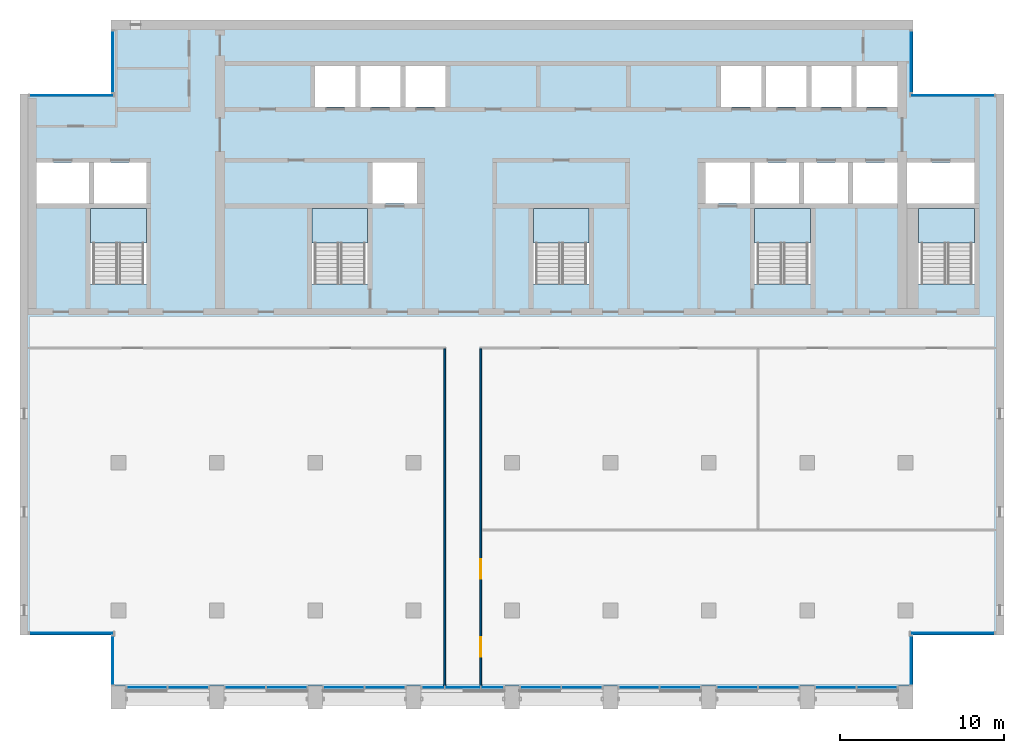
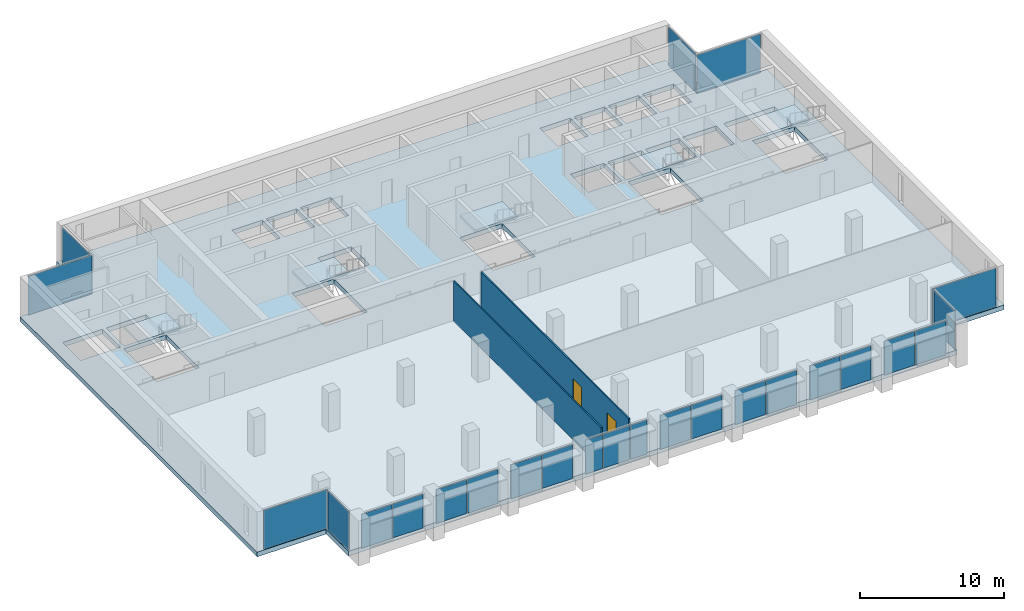
# One storey, part 6 of 14: 25 plates, 6 slabs, 2 doors, 2 walls, 2 openings, 21 elements without a shape of their own.
"""IFC4 building model written with IfcOpenShell, lengths in metres."""

from ifc_helpers import new_model, si_unit, direction, frame, frame_2d, origin, origin_2d, place, context, subcontext, project, spatial, polyline, rectangle, outline, extrude, material, layer, layer_set, type_object, element, fill, aggregate, save


model = new_model("IFC4")

# Units and contexts
model_context = context("Model", 3, precision=1e-05, world=origin(), true_north=direction((0.0, 1.0)))
body_context = subcontext(model_context, "Body", "Model", "MODEL_VIEW")
ifc_project = project(units=[si_unit("LENGTHUNIT", "METRE"), si_unit("AREAUNIT", "SQUARE_METRE"), si_unit("VOLUMEUNIT", "CUBIC_METRE"), si_unit("PLANEANGLEUNIT", "RADIAN"), si_unit("MASSUNIT", "GRAM", prefix="KILO")], contexts=[model_context])

# Site, building, storey
site_placement = place(None, origin())
site = spatial("IfcSite", under=ifc_project, at=site_placement, CompositionType="ELEMENT")
building_placement = place(site_placement, origin())
building = spatial("IfcBuilding", under=site, at=building_placement, Name="Calvaro Tower", CompositionType="ELEMENT")
storey_placement = place(building_placement, frame((0.0, 0.0, 243.14990234375)))
storey = spatial("IfcBuildingStorey", under=building, at=storey_placement, Name="L61", CompositionType="ELEMENT", Elevation=243.14990234375)

# Slab
ifc_material_1 = material(Name="Concrete C40/50", Category="concrete")
ifc_layer_1 = layer(ifc_material_1, 0.39990234375)
ifc_layer_set_1 = layer_set([ifc_layer_1], Name="Concrete C40/50")
slab_type_1 = type_object("IfcSlabType", Name="Floor slab 400 C40/50", PredefinedType="FLOOR", material=ifc_layer_set_1)
slab_1_placement = place(storey_placement, frame((0.0, 0.0, -0.39990234375)))
element("IfcSlab", 1, at=slab_1_placement, inside=storey, type_object=slab_type_1, Name="Floor slab", PredefinedType="FLOOR", context=body_context, shape_type="SweptSolid", body=[
    extrude(outline(polyline([(60.449951171875, 8.5), (60.449951171875, 5.39990234375), (11.550048828125, 5.39990234375), (11.550048828125, 8.5), (6.0, 8.5), (6.0, 41.5), (11.550048828125, 41.5), (11.550048828125, 46.0), (60.449951171875, 46.0), (60.449951171875, 41.5), (66.0, 41.5), (66.0, 8.5), (60.449951171875, 8.5)]), holes=[polyline([(10.300048828125, 29.909912109375), (10.300048828125, 34.5), (12.0, 34.5), (13.699951171875, 34.5), (13.699951171875, 29.909912109375), (12.0, 29.909912109375), (10.300048828125, 29.909912109375)]), polyline([(23.800048828125, 29.909912109375), (23.800048828125, 34.5), (25.5, 34.5), (27.199951171875, 34.5), (27.199951171875, 29.909912109375), (25.5, 29.909912109375), (23.800048828125, 29.909912109375)]), polyline([(37.300048828125, 29.909912109375), (37.300048828125, 34.5), (39.0, 34.5), (40.699951171875, 34.5), (40.699951171875, 29.909912109375), (39.0, 29.909912109375), (37.300048828125, 29.909912109375)]), polyline([(50.800048828125, 29.909912109375), (50.800048828125, 34.5), (52.5, 34.5), (54.199951171875, 34.5), (54.199951171875, 29.909912109375), (52.5, 29.909912109375), (50.800048828125, 29.909912109375)]), polyline([(60.800048828125, 29.909912109375), (60.800048828125, 34.5), (62.5, 34.5), (64.199951171875, 34.5), (64.199951171875, 29.909912109375), (62.5, 29.909912109375), (60.800048828125, 29.909912109375)]), polyline([(50.800048828125, 34.800048828125), (53.5, 34.800048828125), (53.5, 37.300048828125), (50.800048828125, 37.300048828125), (50.800048828125, 34.800048828125)]), polyline([(53.800048828125, 34.800048828125), (56.5, 34.800048828125), (56.5, 37.300048828125), (53.800048828125, 37.300048828125), (53.800048828125, 34.800048828125)]), polyline([(56.800048828125, 34.800048828125), (59.5, 34.800048828125), (59.5, 37.300048828125), (56.800048828125, 37.300048828125), (56.800048828125, 34.800048828125)]), polyline([(24.0, 40.699951171875), (26.449951171875, 40.699951171875), (26.449951171875, 43.199951171875), (24.0, 43.199951171875), (24.0, 40.699951171875)]), polyline([(26.75, 40.699951171875), (29.199951171875, 40.699951171875), (29.199951171875, 43.199951171875), (26.75, 43.199951171875), (26.75, 40.699951171875)]), polyline([(29.5, 40.699951171875), (31.949951171875, 40.699951171875), (31.949951171875, 43.199951171875), (29.5, 43.199951171875), (29.5, 40.699951171875)]), polyline([(48.75, 40.699951171875), (51.199951171875, 40.699951171875), (51.199951171875, 43.199951171875), (48.75, 43.199951171875), (48.75, 40.699951171875)]), polyline([(51.5, 40.699951171875), (53.949951171875, 40.699951171875), (53.949951171875, 43.199951171875), (51.5, 43.199951171875), (51.5, 40.699951171875)]), polyline([(54.25, 40.699951171875), (56.699951171875, 40.699951171875), (56.699951171875, 43.199951171875), (54.25, 43.199951171875), (54.25, 40.699951171875)]), polyline([(57.0, 40.699951171875), (59.5, 40.699951171875), (59.5, 43.199951171875), (57.0, 43.199951171875), (57.0, 40.699951171875)]), polyline([(7.0, 34.800048828125), (10.199951171875, 34.800048828125), (10.199951171875, 37.300048828125), (7.0, 37.300048828125), (7.0, 34.800048828125)]), polyline([(10.5, 34.800048828125), (13.699951171875, 34.800048828125), (13.699951171875, 37.300048828125), (10.5, 37.300048828125), (10.5, 34.800048828125)]), polyline([(60.10009765625, 34.800048828125), (64.199951171875, 34.800048828125), (64.199951171875, 37.300048828125), (60.10009765625, 37.300048828125), (60.10009765625, 34.800048828125)]), polyline([(27.5, 34.800048828125), (30.199951171875, 34.800048828125), (30.199951171875, 37.300048828125), (27.5, 37.300048828125), (27.5, 34.800048828125)]), polyline([(47.800048828125, 34.800048828125), (50.5, 34.800048828125), (50.5, 37.300048828125), (47.800048828125, 37.300048828125), (47.800048828125, 34.800048828125)])]), origin(), (0.0, 0.0, 1.0), 0.39990234375),
])

# Curtain wall, plates
ifc_material_2 = material(Name="Anodised aluminium", Category="aluminium")
curtain_wall_type = type_object("IfcCurtainWallType", Name="Executive curtain wall", PredefinedType="NOTDEFINED", material=ifc_material_2)
curtain_wall_1_placement = place(storey_placement, origin())
curtain_wall_1 = element("IfcCurtainWall", 2, at=curtain_wall_1_placement, inside=storey, type_object=curtain_wall_type, Name="CW4 south curtain wall", PredefinedType="NOTDEFINED")
ifc_material_3 = material(Name="Glass", Category="glass")
ifc_layer_2 = layer(ifc_material_3, 0.0400390625)
ifc_layer_set_2 = layer_set([ifc_layer_2], Name="Glass")
plate_type = type_object("IfcPlateType", Name="Glass panel S4 40", PredefinedType="CURTAIN_PANEL", material=ifc_layer_set_2)
plate_1_placement = place(storey_placement, frame((13.7451171875, 5.2900390625, 0.000244140625), z_axis=(0.0, 0.0, 1.0), x_axis=(1.0, 0.0, 0.0)))
plate_1 = element("IfcPlate", 3, at=plate_1_placement, type_object=plate_type, Name="CW4 glass panel 1.1", PredefinedType="CURTAIN_PANEL", context=body_context, shape_type="SweptSolid", body=[
    extrude(rectangle(XDim=2.429931640625, YDim=0.0400390625, at=origin_2d()), origin(), (0.0, 0.0, 1.0), 2.8798828125),
])
plate_2_placement = place(storey_placement, frame((16.2548828125, 5.2900390625, 0.000244140625), z_axis=(0.0, 0.0, 1.0), x_axis=(1.0, 0.0, 0.0)))
plate_2 = element("IfcPlate", 4, at=plate_2_placement, type_object=plate_type, Name="CW4 glass panel 2.1", PredefinedType="CURTAIN_PANEL", context=body_context, shape_type="SweptSolid", body=[
    extrude(rectangle(XDim=2.429931640625, YDim=0.0400390625, at=origin_2d()), origin(), (0.0, 0.0, 1.0), 2.8798828125),
])
aggregate(curtain_wall_1, [plate_1, plate_2])

curtain_wall_2_placement = place(storey_placement, origin())
curtain_wall_2 = element("IfcCurtainWall", 5, at=curtain_wall_2_placement, inside=storey, type_object=curtain_wall_type, Name="CW4 south curtain wall", PredefinedType="NOTDEFINED")
plate_3_placement = place(storey_placement, frame((19.7451171875, 5.2900390625, 0.000244140625), z_axis=(0.0, 0.0, 1.0), x_axis=(1.0, 0.0, 0.0)))
plate_3 = element("IfcPlate", 6, at=plate_3_placement, type_object=plate_type, Name="CW4 glass panel 1.1", PredefinedType="CURTAIN_PANEL", context=body_context, shape_type="SweptSolid", body=[
    extrude(rectangle(XDim=2.429931640625, YDim=0.0400390625, at=origin_2d()), origin(), (0.0, 0.0, 1.0), 2.8798828125),
])
plate_4_placement = place(storey_placement, frame((22.2548828125, 5.2900390625, 0.000244140625), z_axis=(0.0, 0.0, 1.0), x_axis=(1.0, 0.0, 0.0)))
plate_4 = element("IfcPlate", 7, at=plate_4_placement, type_object=plate_type, Name="CW4 glass panel 2.1", PredefinedType="CURTAIN_PANEL", context=body_context, shape_type="SweptSolid", body=[
    extrude(rectangle(XDim=2.429931640625, YDim=0.0400390625, at=origin_2d()), origin(), (0.0, 0.0, 1.0), 2.8798828125),
])
aggregate(curtain_wall_2, [plate_3, plate_4])

curtain_wall_3_placement = place(storey_placement, origin())
curtain_wall_3 = element("IfcCurtainWall", 8, at=curtain_wall_3_placement, inside=storey, type_object=curtain_wall_type, Name="CW4 south curtain wall", PredefinedType="NOTDEFINED")
plate_5_placement = place(storey_placement, frame((25.7451171875, 5.2900390625, 0.000244140625), z_axis=(0.0, 0.0, 1.0), x_axis=(1.0, 0.0, 0.0)))
plate_5 = element("IfcPlate", 9, at=plate_5_placement, type_object=plate_type, Name="CW4 glass panel 1.1", PredefinedType="CURTAIN_PANEL", context=body_context, shape_type="SweptSolid", body=[
    extrude(rectangle(XDim=2.429931640625, YDim=0.0400390625, at=origin_2d()), origin(), (0.0, 0.0, 1.0), 2.8798828125),
])
plate_6_placement = place(storey_placement, frame((28.2548828125, 5.2900390625, 0.000244140625), z_axis=(0.0, 0.0, 1.0), x_axis=(1.0, 0.0, 0.0)))
plate_6 = element("IfcPlate", 10, at=plate_6_placement, type_object=plate_type, Name="CW4 glass panel 2.1", PredefinedType="CURTAIN_PANEL", context=body_context, shape_type="SweptSolid", body=[
    extrude(rectangle(XDim=2.429931640625, YDim=0.0400390625, at=origin_2d()), origin(), (0.0, 0.0, 1.0), 2.8798828125),
])
aggregate(curtain_wall_3, [plate_5, plate_6])

curtain_wall_4_placement = place(storey_placement, origin())
curtain_wall_4 = element("IfcCurtainWall", 11, at=curtain_wall_4_placement, inside=storey, type_object=curtain_wall_type, Name="CW4 south curtain wall", PredefinedType="NOTDEFINED")
plate_7_placement = place(storey_placement, frame((31.195068359375, 5.2900390625, 0.000244140625), z_axis=(0.0, 0.0, 1.0), x_axis=(1.0, 0.0, 0.0)))
plate_7 = element("IfcPlate", 12, at=plate_7_placement, type_object=plate_type, Name="CW4 glass panel 1.1", PredefinedType="CURTAIN_PANEL", context=body_context, shape_type="SweptSolid", body=[
    extrude(rectangle(XDim=1.330078125, YDim=0.0400390625, at=origin_2d()), origin(), (0.0, 0.0, 1.0), 2.8798828125),
])
plate_8_placement = place(storey_placement, frame((33.0, 5.2900390625, 0.000244140625), z_axis=(0.0, 0.0, 1.0), x_axis=(1.0, 0.0, 0.0)))
plate_8 = element("IfcPlate", 13, at=plate_8_placement, type_object=plate_type, Name="CW4 glass panel 2.1", PredefinedType="CURTAIN_PANEL", context=body_context, shape_type="SweptSolid", body=[
    extrude(rectangle(XDim=2.1201171875, YDim=0.0400390625, at=origin_2d()), origin(), (0.0, 0.0, 1.0), 2.8798828125),
])
plate_9_placement = place(storey_placement, frame((34.804931640625, 5.2900390625, 0.000244140625), z_axis=(0.0, 0.0, 1.0), x_axis=(1.0, 0.0, 0.0)))
plate_9 = element("IfcPlate", 14, at=plate_9_placement, type_object=plate_type, Name="CW4 glass panel 3.1", PredefinedType="CURTAIN_PANEL", context=body_context, shape_type="SweptSolid", body=[
    extrude(rectangle(XDim=1.330078125, YDim=0.0400390625, at=origin_2d()), origin(), (0.0, 0.0, 1.0), 2.8798828125),
])
aggregate(curtain_wall_4, [plate_7, plate_8, plate_9])

curtain_wall_5_placement = place(storey_placement, origin())
curtain_wall_5 = element("IfcCurtainWall", 15, at=curtain_wall_5_placement, inside=storey, type_object=curtain_wall_type, Name="CW4 south curtain wall", PredefinedType="NOTDEFINED")
plate_10_placement = place(storey_placement, frame((37.7451171875, 5.2900390625, 0.000244140625), z_axis=(0.0, 0.0, 1.0), x_axis=(1.0, 0.0, 0.0)))
plate_10 = element("IfcPlate", 16, at=plate_10_placement, type_object=plate_type, Name="CW4 glass panel 1.1", PredefinedType="CURTAIN_PANEL", context=body_context, shape_type="SweptSolid", body=[
    extrude(rectangle(XDim=2.429931640625, YDim=0.0400390625, at=origin_2d()), origin(), (0.0, 0.0, 1.0), 2.8798828125),
])
plate_11_placement = place(storey_placement, frame((40.2548828125, 5.2900390625, 0.000244140625), z_axis=(0.0, 0.0, 1.0), x_axis=(1.0, 0.0, 0.0)))
plate_11 = element("IfcPlate", 17, at=plate_11_placement, type_object=plate_type, Name="CW4 glass panel 2.1", PredefinedType="CURTAIN_PANEL", context=body_context, shape_type="SweptSolid", body=[
    extrude(rectangle(XDim=2.429931640625, YDim=0.0400390625, at=origin_2d()), origin(), (0.0, 0.0, 1.0), 2.8798828125),
])
aggregate(curtain_wall_5, [plate_10, plate_11])

curtain_wall_6_placement = place(storey_placement, origin())
curtain_wall_6 = element("IfcCurtainWall", 18, at=curtain_wall_6_placement, inside=storey, type_object=curtain_wall_type, Name="CW4 south curtain wall", PredefinedType="NOTDEFINED")
plate_12_placement = place(storey_placement, frame((43.7451171875, 5.2900390625, 0.000244140625), z_axis=(0.0, 0.0, 1.0), x_axis=(1.0, 0.0, 0.0)))
plate_12 = element("IfcPlate", 19, at=plate_12_placement, type_object=plate_type, Name="CW4 glass panel 1.1", PredefinedType="CURTAIN_PANEL", context=body_context, shape_type="SweptSolid", body=[
    extrude(rectangle(XDim=2.429931640625, YDim=0.0400390625, at=origin_2d()), origin(), (0.0, 0.0, 1.0), 2.8798828125),
])
plate_13_placement = place(storey_placement, frame((46.2548828125, 5.2900390625, 0.000244140625), z_axis=(0.0, 0.0, 1.0), x_axis=(1.0, 0.0, 0.0)))
plate_13 = element("IfcPlate", 20, at=plate_13_placement, type_object=plate_type, Name="CW4 glass panel 2.1", PredefinedType="CURTAIN_PANEL", context=body_context, shape_type="SweptSolid", body=[
    extrude(rectangle(XDim=2.429931640625, YDim=0.0400390625, at=origin_2d()), origin(), (0.0, 0.0, 1.0), 2.8798828125),
])
aggregate(curtain_wall_6, [plate_12, plate_13])

curtain_wall_7_placement = place(storey_placement, origin())
curtain_wall_7 = element("IfcCurtainWall", 21, at=curtain_wall_7_placement, inside=storey, type_object=curtain_wall_type, Name="CW4 south curtain wall", PredefinedType="NOTDEFINED")
plate_14_placement = place(storey_placement, frame((49.7451171875, 5.2900390625, 0.000244140625), z_axis=(0.0, 0.0, 1.0), x_axis=(1.0, 0.0, 0.0)))
plate_14 = element("IfcPlate", 22, at=plate_14_placement, type_object=plate_type, Name="CW4 glass panel 1.1", PredefinedType="CURTAIN_PANEL", context=body_context, shape_type="SweptSolid", body=[
    extrude(rectangle(XDim=2.429931640625, YDim=0.0400390625, at=origin_2d()), origin(), (0.0, 0.0, 1.0), 2.8798828125),
])
plate_15_placement = place(storey_placement, frame((52.2548828125, 5.2900390625, 0.000244140625), z_axis=(0.0, 0.0, 1.0), x_axis=(1.0, 0.0, 0.0)))
plate_15 = element("IfcPlate", 23, at=plate_15_placement, type_object=plate_type, Name="CW4 glass panel 2.1", PredefinedType="CURTAIN_PANEL", context=body_context, shape_type="SweptSolid", body=[
    extrude(rectangle(XDim=2.429931640625, YDim=0.0400390625, at=origin_2d()), origin(), (0.0, 0.0, 1.0), 2.8798828125),
])
aggregate(curtain_wall_7, [plate_14, plate_15])

curtain_wall_8_placement = place(storey_placement, origin())
curtain_wall_8 = element("IfcCurtainWall", 24, at=curtain_wall_8_placement, inside=storey, type_object=curtain_wall_type, Name="CW4 south curtain wall", PredefinedType="NOTDEFINED")
plate_16_placement = place(storey_placement, frame((55.7451171875, 5.2900390625, 0.000244140625), z_axis=(0.0, 0.0, 1.0), x_axis=(1.0, 0.0, 0.0)))
plate_16 = element("IfcPlate", 25, at=plate_16_placement, type_object=plate_type, Name="CW4 glass panel 1.1", PredefinedType="CURTAIN_PANEL", context=body_context, shape_type="SweptSolid", body=[
    extrude(rectangle(XDim=2.429931640625, YDim=0.0400390625, at=origin_2d()), origin(), (0.0, 0.0, 1.0), 2.8798828125),
])
plate_17_placement = place(storey_placement, frame((58.2548828125, 5.2900390625, 0.000244140625), z_axis=(0.0, 0.0, 1.0), x_axis=(1.0, 0.0, 0.0)))
plate_17 = element("IfcPlate", 26, at=plate_17_placement, type_object=plate_type, Name="CW4 glass panel 2.1", PredefinedType="CURTAIN_PANEL", context=body_context, shape_type="SweptSolid", body=[
    extrude(rectangle(XDim=2.429931640625, YDim=0.0400390625, at=origin_2d()), origin(), (0.0, 0.0, 1.0), 2.8798828125),
])
aggregate(curtain_wall_8, [plate_16, plate_17])

# Curtain wall, plate
curtain_wall_9_placement = place(storey_placement, origin())
curtain_wall_9 = element("IfcCurtainWall", 27, at=curtain_wall_9_placement, inside=storey, type_object=curtain_wall_type, Name="CW4 corner curtain wall", PredefinedType="NOTDEFINED")
plate_18_placement = place(storey_placement, frame((11.659912109375, 6.949951171875, 0.0), z_axis=(0.0, 0.0, 1.0), x_axis=(0.0, 1.0, 0.0)))
plate_18 = element("IfcPlate", 28, at=plate_18_placement, type_object=plate_type, Name="CW4 glass panel 1.1", PredefinedType="CURTAIN_PANEL", context=body_context, shape_type="SweptSolid", body=[
    extrude(rectangle(XDim=2.93994140625, YDim=0.0400390625, at=origin_2d()), origin(), (0.0, 0.0, 1.0), 3.280029296875),
])
aggregate(curtain_wall_9, [plate_18])

curtain_wall_10_placement = place(storey_placement, origin())
curtain_wall_10 = element("IfcCurtainWall", 29, at=curtain_wall_10_placement, inside=storey, type_object=curtain_wall_type, Name="CW4 corner curtain wall", PredefinedType="NOTDEFINED")
plate_19_placement = place(storey_placement, frame((9.135009765625, 8.610107421875, 0.0), z_axis=(0.0, 0.0, 1.0), x_axis=(1.0, 0.0, 0.0)))
plate_19 = element("IfcPlate", 30, at=plate_19_placement, type_object=plate_type, Name="CW4 glass panel 1.1", PredefinedType="CURTAIN_PANEL", context=body_context, shape_type="SweptSolid", body=[
    extrude(rectangle(XDim=5.110107421875, YDim=0.0400390625, at=origin_2d()), origin(), (0.0, 0.0, 1.0), 3.280029296875),
])
aggregate(curtain_wall_10, [plate_19])

curtain_wall_11_placement = place(storey_placement, origin())
curtain_wall_11 = element("IfcCurtainWall", 31, at=curtain_wall_11_placement, inside=storey, type_object=curtain_wall_type, Name="CW4 corner curtain wall", PredefinedType="NOTDEFINED")
plate_20_placement = place(storey_placement, frame((11.659912109375, 43.449951171875, 0.0), z_axis=(0.0, 0.0, 1.0), x_axis=(0.0, 1.0, 0.0)))
plate_20 = element("IfcPlate", 32, at=plate_20_placement, type_object=plate_type, Name="CW4 glass panel 1.1", PredefinedType="CURTAIN_PANEL", context=body_context, shape_type="SweptSolid", body=[
    extrude(rectangle(XDim=3.739990234375, YDim=0.0400390625, at=origin_2d()), origin(), (0.0, 0.0, 1.0), 3.280029296875),
])
aggregate(curtain_wall_11, [plate_20])

curtain_wall_12_placement = place(storey_placement, origin())
curtain_wall_12 = element("IfcCurtainWall", 33, at=curtain_wall_12_placement, inside=storey, type_object=curtain_wall_type, Name="CW4 corner curtain wall", PredefinedType="NOTDEFINED")
plate_21_placement = place(storey_placement, frame((9.135009765625, 41.389892578125, 0.0), z_axis=(0.0, 0.0, 1.0), x_axis=(1.0, 0.0, 0.0)))
plate_21 = element("IfcPlate", 34, at=plate_21_placement, type_object=plate_type, Name="CW4 glass panel 1.1", PredefinedType="CURTAIN_PANEL", context=body_context, shape_type="SweptSolid", body=[
    extrude(rectangle(XDim=5.110107421875, YDim=0.0400390625, at=origin_2d()), origin(), (0.0, 0.0, 1.0), 3.280029296875),
])
aggregate(curtain_wall_12, [plate_21])

curtain_wall_13_placement = place(storey_placement, origin())
curtain_wall_13 = element("IfcCurtainWall", 35, at=curtain_wall_13_placement, inside=storey, type_object=curtain_wall_type, Name="CW4 corner curtain wall", PredefinedType="NOTDEFINED")
plate_22_placement = place(storey_placement, frame((60.340087890625, 6.949951171875, 0.0), z_axis=(0.0, 0.0, 1.0), x_axis=(0.0, 1.0, 0.0)))
plate_22 = element("IfcPlate", 36, at=plate_22_placement, type_object=plate_type, Name="CW4 glass panel 1.1", PredefinedType="CURTAIN_PANEL", context=body_context, shape_type="SweptSolid", body=[
    extrude(rectangle(XDim=2.93994140625, YDim=0.0400390625, at=origin_2d()), origin(), (0.0, 0.0, 1.0), 3.280029296875),
])
aggregate(curtain_wall_13, [plate_22])

curtain_wall_14_placement = place(storey_placement, origin())
curtain_wall_14 = element("IfcCurtainWall", 37, at=curtain_wall_14_placement, inside=storey, type_object=curtain_wall_type, Name="CW4 corner curtain wall", PredefinedType="NOTDEFINED")
plate_23_placement = place(storey_placement, frame((62.864990234375, 8.610107421875, 0.0), z_axis=(0.0, 0.0, 1.0), x_axis=(1.0, 0.0, 0.0)))
plate_23 = element("IfcPlate", 38, at=plate_23_placement, type_object=plate_type, Name="CW4 glass panel 1.1", PredefinedType="CURTAIN_PANEL", context=body_context, shape_type="SweptSolid", body=[
    extrude(rectangle(XDim=5.110107421875, YDim=0.0400390625, at=origin_2d()), origin(), (0.0, 0.0, 1.0), 3.280029296875),
])
aggregate(curtain_wall_14, [plate_23])

curtain_wall_15_placement = place(storey_placement, origin())
curtain_wall_15 = element("IfcCurtainWall", 39, at=curtain_wall_15_placement, inside=storey, type_object=curtain_wall_type, Name="CW4 corner curtain wall", PredefinedType="NOTDEFINED")
plate_24_placement = place(storey_placement, frame((60.340087890625, 43.449951171875, 0.0), z_axis=(0.0, 0.0, 1.0), x_axis=(0.0, 1.0, 0.0)))
plate_24 = element("IfcPlate", 40, at=plate_24_placement, type_object=plate_type, Name="CW4 glass panel 1.1", PredefinedType="CURTAIN_PANEL", context=body_context, shape_type="SweptSolid", body=[
    extrude(rectangle(XDim=3.739990234375, YDim=0.0400390625, at=origin_2d()), origin(), (0.0, 0.0, 1.0), 3.280029296875),
])
aggregate(curtain_wall_15, [plate_24])

curtain_wall_16_placement = place(storey_placement, origin())
curtain_wall_16 = element("IfcCurtainWall", 41, at=curtain_wall_16_placement, inside=storey, type_object=curtain_wall_type, Name="CW4 corner curtain wall", PredefinedType="NOTDEFINED")
plate_25_placement = place(storey_placement, frame((62.864990234375, 41.389892578125, 0.0), z_axis=(0.0, 0.0, 1.0), x_axis=(1.0, 0.0, 0.0)))
plate_25 = element("IfcPlate", 42, at=plate_25_placement, type_object=plate_type, Name="CW4 glass panel 1.1", PredefinedType="CURTAIN_PANEL", context=body_context, shape_type="SweptSolid", body=[
    extrude(rectangle(XDim=5.110107421875, YDim=0.0400390625, at=origin_2d()), origin(), (0.0, 0.0, 1.0), 3.280029296875),
])
aggregate(curtain_wall_16, [plate_25])

# Stair, slab
ifc_material_4 = material(Name="Concrete C40/50", Category="concrete")
stair_type = type_object("IfcStairType", Name="Exit stair 1400 2 flights", PredefinedType="HALF_TURN_STAIR", material=ifc_material_4)
stair_1_placement = place(storey_placement, origin())
stair_1 = element("IfcStair", 43, at=stair_1_placement, inside=storey, type_object=stair_type, Name="Exit stair S1", PredefinedType="HALF_TURN_STAIR")
ifc_material_5 = material(Name="Concrete C40/50", Category="concrete")
ifc_layer_3 = layer(ifc_material_5, 0.199951171875)
ifc_layer_set_3 = layer_set([ifc_layer_3], Name="Concrete C40/50")
slab_type_2 = type_object("IfcSlabType", Name="Stair landing", PredefinedType="LANDING", material=ifc_layer_set_3)
slab_2_placement = place(storey_placement, frame((0.0, 0.0, 1.7001953125)))
slab_2 = element("IfcSlab", 44, at=slab_2_placement, type_object=slab_type_2, Name="Exit stair 1, landing 1", PredefinedType="LANDING", context=body_context, shape_type="SweptSolid", body=[
    extrude(outline(polyline([(11.89990234375, 32.389892578125), (10.5, 32.389892578125), (10.5, 32.39990234375), (10.300048828125, 32.39990234375), (10.300048828125, 34.5), (10.5, 34.5), (11.89990234375, 34.5), (12.10009765625, 34.5), (13.5, 34.5), (13.699951171875, 34.5), (13.699951171875, 32.39990234375), (13.5, 32.39990234375), (13.5, 32.389892578125), (12.10009765625, 32.389892578125), (12.10009765625, 32.39990234375), (11.89990234375, 32.39990234375), (11.89990234375, 32.389892578125)])), origin(), (0.0, 0.0, 1.0), 0.199951171875),
])
aggregate(stair_1, [slab_2])

stair_2_placement = place(storey_placement, origin())
stair_2 = element("IfcStair", 45, at=stair_2_placement, inside=storey, type_object=stair_type, Name="Exit stair S2", PredefinedType="HALF_TURN_STAIR")
slab_3_placement = place(storey_placement, frame((0.0, 0.0, 1.7001953125)))
slab_3 = element("IfcSlab", 46, at=slab_3_placement, type_object=slab_type_2, Name="Exit stair 2, landing 1", PredefinedType="LANDING", context=body_context, shape_type="SweptSolid", body=[
    extrude(outline(polyline([(25.39990234375, 32.389892578125), (24.0, 32.389892578125), (24.0, 32.39990234375), (23.800048828125, 32.39990234375), (23.800048828125, 34.5), (24.0, 34.5), (25.39990234375, 34.5), (25.60009765625, 34.5), (27.0, 34.5), (27.199951171875, 34.5), (27.199951171875, 32.39990234375), (27.0, 32.39990234375), (27.0, 32.389892578125), (25.60009765625, 32.389892578125), (25.60009765625, 32.39990234375), (25.39990234375, 32.39990234375), (25.39990234375, 32.389892578125)])), origin(), (0.0, 0.0, 1.0), 0.199951171875),
])
aggregate(stair_2, [slab_3])

stair_3_placement = place(storey_placement, origin())
stair_3 = element("IfcStair", 47, at=stair_3_placement, inside=storey, type_object=stair_type, Name="Exit stair S3", PredefinedType="HALF_TURN_STAIR")
slab_4_placement = place(storey_placement, frame((0.0, 0.0, 1.7001953125)))
slab_4 = element("IfcSlab", 48, at=slab_4_placement, type_object=slab_type_2, Name="Exit stair 3, landing 1", PredefinedType="LANDING", context=body_context, shape_type="SweptSolid", body=[
    extrude(outline(polyline([(38.89990234375, 32.389892578125), (37.5, 32.389892578125), (37.5, 32.39990234375), (37.300048828125, 32.39990234375), (37.300048828125, 34.5), (37.5, 34.5), (38.89990234375, 34.5), (39.10009765625, 34.5), (40.5, 34.5), (40.699951171875, 34.5), (40.699951171875, 32.39990234375), (40.5, 32.39990234375), (40.5, 32.389892578125), (39.10009765625, 32.389892578125), (39.10009765625, 32.39990234375), (38.89990234375, 32.39990234375), (38.89990234375, 32.389892578125)])), origin(), (0.0, 0.0, 1.0), 0.199951171875),
])
aggregate(stair_3, [slab_4])

stair_4_placement = place(storey_placement, origin())
stair_4 = element("IfcStair", 49, at=stair_4_placement, inside=storey, type_object=stair_type, Name="Exit stair S4", PredefinedType="HALF_TURN_STAIR")
slab_5_placement = place(storey_placement, frame((0.0, 0.0, 1.7001953125)))
slab_5 = element("IfcSlab", 50, at=slab_5_placement, type_object=slab_type_2, Name="Exit stair 4, landing 1", PredefinedType="LANDING", context=body_context, shape_type="SweptSolid", body=[
    extrude(outline(polyline([(52.39990234375, 32.389892578125), (51.0, 32.389892578125), (51.0, 32.39990234375), (50.800048828125, 32.39990234375), (50.800048828125, 34.5), (51.0, 34.5), (52.39990234375, 34.5), (52.60009765625, 34.5), (54.0, 34.5), (54.199951171875, 34.5), (54.199951171875, 32.39990234375), (54.0, 32.39990234375), (54.0, 32.389892578125), (52.60009765625, 32.389892578125), (52.60009765625, 32.39990234375), (52.39990234375, 32.39990234375), (52.39990234375, 32.389892578125)])), origin(), (0.0, 0.0, 1.0), 0.199951171875),
])
aggregate(stair_4, [slab_5])

stair_5_placement = place(storey_placement, origin())
stair_5 = element("IfcStair", 51, at=stair_5_placement, inside=storey, type_object=stair_type, Name="Exit stair S5", PredefinedType="HALF_TURN_STAIR")
slab_6_placement = place(storey_placement, frame((0.0, 0.0, 1.7001953125)))
slab_6 = element("IfcSlab", 52, at=slab_6_placement, type_object=slab_type_2, Name="Exit stair 5, landing 1", PredefinedType="LANDING", context=body_context, shape_type="SweptSolid", body=[
    extrude(outline(polyline([(62.39990234375, 32.389892578125), (61.0, 32.389892578125), (61.0, 32.39990234375), (60.800048828125, 32.39990234375), (60.800048828125, 34.5), (61.0, 34.5), (62.39990234375, 34.5), (62.60009765625, 34.5), (64.0, 34.5), (64.199951171875, 34.5), (64.199951171875, 32.39990234375), (64.0, 32.39990234375), (64.0, 32.389892578125), (62.60009765625, 32.389892578125), (62.60009765625, 32.39990234375), (62.39990234375, 32.39990234375), (62.39990234375, 32.389892578125)])), origin(), (0.0, 0.0, 1.0), 0.199951171875),
])
aggregate(stair_5, [slab_6])

# Wall
ifc_material_6 = material(Name="Plasterboard on steel studs", Category="steel")
ifc_layer_4 = layer(ifc_material_6, 0.10009765625)
ifc_layer_set_4 = layer_set([ifc_layer_4], Name="Plasterboard on steel studs")
wall_type_1 = type_object("IfcWallType", Name="Partition 100", PredefinedType="PARTITIONING", material=ifc_layer_set_4)
wall_1_placement = place(storey_placement, frame((31.89990234375, 5.39990234375, 0.0), z_axis=(0.0, 0.0, 1.0), x_axis=(0.0, 1.0, 0.0)))
element("IfcWall", 53, at=wall_1_placement, inside=storey, type_object=wall_type_1, Name="Partition T35.W004", PredefinedType="PARTITIONING", context=body_context, shape_type="SweptSolid", body=[
    extrude(rectangle(XDim=20.550048828125, YDim=0.10009765625, at=frame_2d((10.27490234375, 0.0))), origin(), (0.0, 0.0, 1.0), 3.400146484375),
])

# Wall, openings, doors
ifc_material_7 = material(Name="Plasterboard on steel studs", Category="steel")
ifc_layer_5 = layer(ifc_material_7, 0.10009765625)
ifc_layer_set_5 = layer_set([ifc_layer_5], Name="Plasterboard on steel studs")
wall_type_2 = type_object("IfcWallType", Name="Partition 100 REI 120", PredefinedType="PARTITIONING", material=ifc_layer_set_5)
wall_2_placement = place(storey_placement, frame((34.10009765625, 5.39990234375, 0.0), z_axis=(0.0, 0.0, 1.0), x_axis=(0.0, 1.0, 0.0)))
wall_2 = element("IfcWall", 54, at=wall_2_placement, inside=storey, type_object=wall_type_2, Name="Partition T35.W005", PredefinedType="PARTITIONING", context=body_context, shape_type="SweptSolid", body=[
    extrude(rectangle(XDim=20.550048828125, YDim=0.10009765625, at=frame_2d((10.27490234375, 0.0))), origin(), (0.0, 0.0, 1.0), 3.400146484375),
])
opening_1_placement = place(wall_2_placement, frame((1.77490234375, 0.0, 0.0)))
opening_1 = element("IfcOpeningElement", 55, at=opening_1_placement, cuts=wall_2, Name="Opening T35.001", PredefinedType="OPENING", context=body_context, shape_type="SweptSolid", body=[
    extrude(rectangle(XDim=1.199951171875, YDim=2.10009765625, at=frame_2d((0.60009765625, 1.050048828125))), frame((0.0, 0.06005859375, 0.0), z_axis=(0.0, -1.0, 0.0), x_axis=(1.0, 0.0, 0.0)), (0.0, 0.0, 1.0), 0.1201171875),
])
opening_2_placement = place(wall_2_placement, frame((6.52490234375, 0.0, 0.0)))
opening_2 = element("IfcOpeningElement", 56, at=opening_2_placement, cuts=wall_2, Name="Opening T35.002", PredefinedType="OPENING", context=body_context, shape_type="SweptSolid", body=[
    extrude(rectangle(XDim=1.199951171875, YDim=2.10009765625, at=frame_2d((0.60009765625, 1.050048828125))), frame((0.0, 0.06005859375, 0.0), z_axis=(0.0, -1.0, 0.0), x_axis=(1.0, 0.0, 0.0)), (0.0, 0.0, 1.0), 0.1201171875),
])
ifc_material_8 = material(Name="Timber", Category="wood")
door_type = type_object("IfcDoorType", Name="Internal single door 1200 x 2100", OperationType="SINGLE_SWING_LEFT", PredefinedType="DOOR", material=ifc_material_8)
door_1_placement = place(opening_1_placement, origin())
door_1 = element("IfcDoor", 57, at=door_1_placement, inside=storey, type_object=door_type, Name="Door T35.001", OperationType="SINGLE_SWING_LEFT", OverallHeight=2.10009765625, OverallWidth=1.199951171875, PredefinedType="DOOR", context=body_context, shape_type="SweptSolid", body=[
    extrude(rectangle(XDim=1.199951171875, YDim=2.10009765625, at=frame_2d((0.60009765625, 1.050048828125))), frame((0.0, 0.02490234375, 0.0), z_axis=(0.0, -1.0, 0.0), x_axis=(1.0, 0.0, 0.0)), (0.0, 0.0, 1.0), 0.050048828125),
])
fill(opening_1, door_1)
door_2_placement = place(opening_2_placement, origin())
door_2 = element("IfcDoor", 58, at=door_2_placement, inside=storey, type_object=door_type, Name="Door T35.002", OperationType="SINGLE_SWING_LEFT", OverallHeight=2.10009765625, OverallWidth=1.199951171875, PredefinedType="DOOR", context=body_context, shape_type="SweptSolid", body=[
    extrude(rectangle(XDim=1.199951171875, YDim=2.10009765625, at=frame_2d((0.60009765625, 1.050048828125))), frame((0.0, 0.02490234375, 0.0), z_axis=(0.0, -1.0, 0.0), x_axis=(1.0, 0.0, 0.0)), (0.0, 0.0, 1.0), 0.050048828125),
])
fill(opening_2, door_2)

save(model, "model.ifc")
